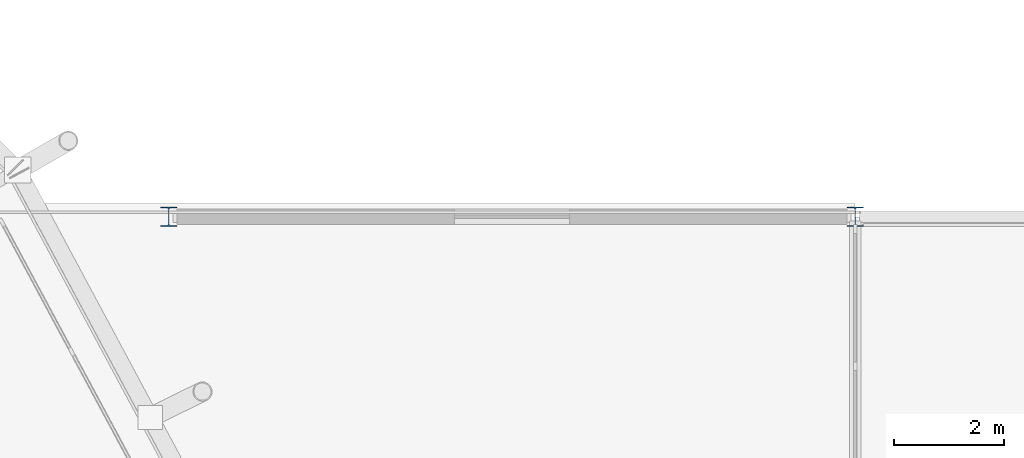
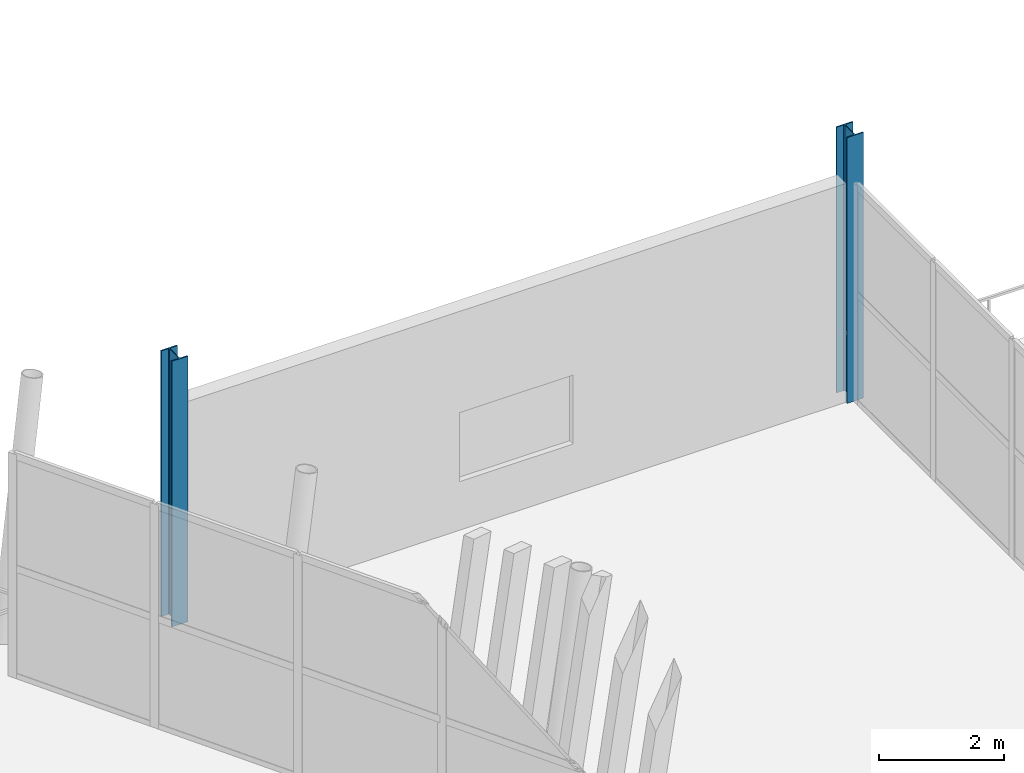
# One storey, part 15 of 168: 2 columns.
"""IFC4 building model written with IfcOpenShell, lengths in metres."""

from ifc_helpers import new_model, si_unit, direction, frame, origin, origin_2d, place, context, subcontext, project, spatial, i_section, extrude, material, material_profile, profile_set, type_object, element, save


model = new_model("IFC4")

# Units and contexts
model_context = context("Model", 3, precision=1e-05, world=origin(), true_north=direction((0.0, 1.0)))
body_context = subcontext(model_context, "Body", "Model", "MODEL_VIEW")
ifc_project = project(units=[si_unit("LENGTHUNIT", "METRE"), si_unit("AREAUNIT", "SQUARE_METRE"), si_unit("VOLUMEUNIT", "CUBIC_METRE"), si_unit("PLANEANGLEUNIT", "RADIAN"), si_unit("MASSUNIT", "GRAM", prefix="KILO")], contexts=[model_context])

# Site, building, storey
site_placement = place(None, origin())
site = spatial("IfcSite", under=ifc_project, at=site_placement, CompositionType="ELEMENT")
building_placement = place(site_placement, origin())
building = spatial("IfcBuilding", under=site, at=building_placement, Name="Zlatoyarsky Gate Stadium", CompositionType="ELEMENT")
storey_placement = place(building_placement, frame((0.0, 0.0, 15.60009765625)))
storey = spatial("IfcBuildingStorey", under=building, at=storey_placement, Name="L03", CompositionType="ELEMENT", Elevation=15.60009765625)

# Columns
ifc_material = material(Name="Steel S355", Category="steel")
ifc_material_profile = material_profile(ifc_material, i_section(OverallWidth=0.300048828125, OverallDepth=0.360107421875, WebThickness=0.012451171875, FlangeThickness=0.0224609375, FilletRadius=0.027099609375, at=origin_2d()), Name="HEB 360")
ifc_profile_set = profile_set([ifc_material_profile], Name="Steel S355")
column_type = type_object("IfcColumnType", Name="STEEL COLUMN HEB 360", PredefinedType="COLUMN", material=ifc_profile_set)
for number, where, z_axis, x_axis, name in (
    (1, (197.5, 116.5, 0.0), (0.0, 0.0, 1.0), (1.0, 0.0, 0.0), "Column ST-C360 WG-17-L on L03"),
    (2, (210.0, 116.5, 0.0), (0.0, 0.0, 1.0), (1.0, 0.0, 0.0), "Column ST-C360 WG-18-L on L03"),
):
    element("IfcColumn", number, at=place(storey_placement, frame(where, z_axis=z_axis, x_axis=x_axis)), inside=storey, type_object=column_type, Name=name, PredefinedType="COLUMN", context=body_context, shape_type="SweptSolid", body=[
        extrude(i_section(OverallWidth=0.300048828125, OverallDepth=0.360107421875, WebThickness=0.012451171875, FlangeThickness=0.0224609375, FilletRadius=0.027099609375, at=origin_2d()), origin(), (0.0, 0.0, 1.0), 5.199951171875),
    ])

save(model, "model.ifc")
